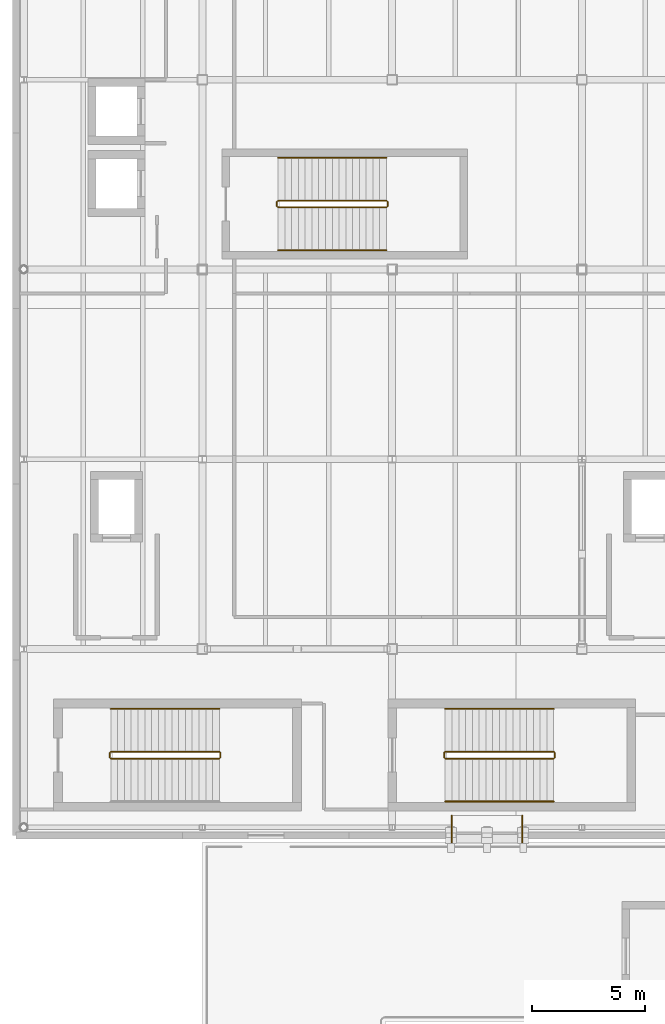
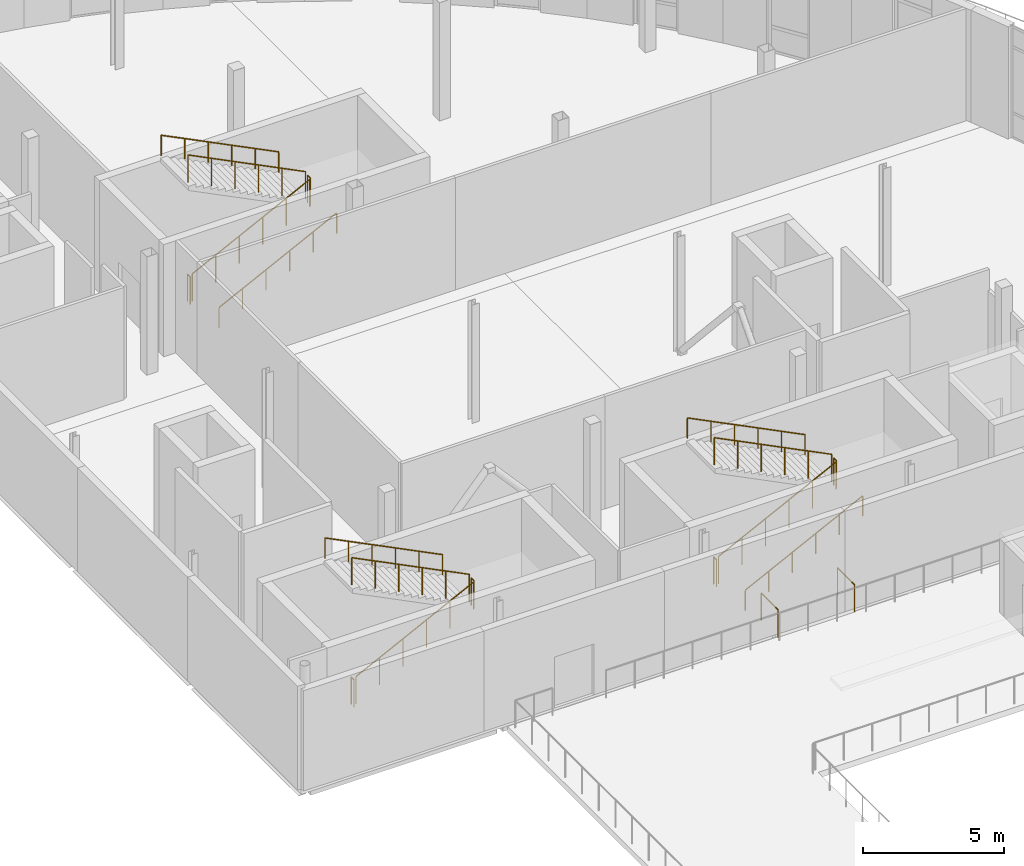
# One storey, part 55 of 57: 19 railings.
"""IFC4 building model written with IfcOpenShell, lengths in metres."""

import ifcopenshell
import ifcopenshell.guid

model = None  # the IFC model being written
_history = None  # IfcOwnerHistory: only IFC2X3 demands one
_inside = {}  # id of a spatial element -> (the spatial element, [elements in it])
_under = {}  # id of a project, library or spatial element -> (it, [spatial elements below it])
_declared = {}  # id of a project -> (the project, [libraries it declares])
_typed = {}  # id of a type object -> (the type object, [elements of that type])
_made_of = {}  # id of a material, layer set ... -> (it, [elements and type objects made of it])


def new_model(schema):
    """Start an empty IFC model of exactly this schema.

    Asked for "IFC4X3", IfcOpenShell would pick the latest addendum, in which some entities
    have other attributes; the version numbers below select the first issue.
    IFC2X3 requires an IfcOwnerHistory on every rooted entity: one is made here for all.
    """
    global model, _history
    if schema == "IFC4X3":
        model = ifcopenshell.file(schema_version=(4, 3, 0, 0))
    else:
        model = ifcopenshell.file(schema=schema)
    _inside.clear()
    _under.clear()
    _declared.clear()
    _typed.clear()
    _made_of.clear()
    _history = None
    if model.schema == "IFC2X3":
        org = make("IfcOrganization", Name="unknown")
        user = make(
            "IfcPersonAndOrganization",
            ThePerson=make("IfcPerson", FamilyName="unknown"),
            TheOrganization=org,
        )
        app = make(
            "IfcApplication",
            ApplicationDeveloper=org,
            Version="unknown",
            ApplicationFullName="unknown",
            ApplicationIdentifier="unknown",
        )
        _history = make(
            "IfcOwnerHistory",
            OwningUser=user,
            OwningApplication=app,
            ChangeAction="ADDED",
            CreationDate=0,
        )
    return model


def make(cls, **values):
    """One entity of the class cls with the attributes given. An attribute that is None is left unset."""
    return model.create_entity(
        cls, **{name: value for name, value in values.items() if value is not None}
    )


def rooted(cls, **values):
    """An entity with a GlobalId (a new one), such as an element, a storey or a relation."""
    return make(cls, GlobalId=ifcopenshell.guid.new(), OwnerHistory=_history, **values)


def si_unit(unit_type, name, prefix=None):
    """IfcSIUnit, for example si_unit("LENGTHUNIT", "METRE", prefix="MILLI")."""
    return make("IfcSIUnit", UnitType=unit_type, Prefix=prefix, Name=name)


def assignment(units):
    """IfcUnitAssignment: the units of a project."""
    return None if units is None else make("IfcUnitAssignment", Units=units)


def point(xyz):
    """IfcCartesianPoint."""
    return None if xyz is None else make("IfcCartesianPoint", Coordinates=xyz)


def direction(xyz):
    """IfcDirection."""
    return None if xyz is None else make("IfcDirection", DirectionRatios=xyz)


def frame(location, z_axis=None, x_axis=None):
    """IfcAxis2Placement3D, a coordinate frame: its origin and axes. An axis left out is left unset."""
    return make(
        "IfcAxis2Placement3D",
        Location=point(location),
        Axis=direction(z_axis),
        RefDirection=direction(x_axis),
    )


def frame_2d(location, x_axis=None):
    """IfcAxis2Placement2D, a coordinate frame in the plane: its origin and x axis."""
    return make(
        "IfcAxis2Placement2D", Location=point(location), RefDirection=direction(x_axis)
    )


def origin():
    """The frame at (0, 0, 0) with its axes left unset."""
    return frame((0.0, 0.0, 0.0))


def origin_2d():
    """The frame at (0, 0) in the plane with its x axis left unset."""
    return frame_2d((0.0, 0.0))


def place(relative_to, where):
    """IfcLocalPlacement: puts the frame where relative to a parent placement (None: the world)."""
    return make(
        "IfcLocalPlacement", PlacementRelTo=relative_to, RelativePlacement=where
    )


def context(
    kind, dimensions, precision=None, world=None, true_north=None, identifier=None
):
    """IfcGeometricRepresentationContext, for example the 3D "Model" context."""
    return make(
        "IfcGeometricRepresentationContext",
        ContextIdentifier=identifier,
        ContextType=kind,
        CoordinateSpaceDimension=dimensions,
        Precision=precision,
        WorldCoordinateSystem=world,
        TrueNorth=true_north,
    )


def subcontext(parent, identifier, kind, view, scale=None):
    """IfcGeometricRepresentationSubContext, for example "Body" below "Model"."""
    return make(
        "IfcGeometricRepresentationSubContext",
        ContextIdentifier=identifier,
        ContextType=kind,
        ParentContext=parent,
        TargetScale=scale,
        TargetView=view,
    )


def project(units=None, contexts=None):
    """IfcProject with its units and contexts."""
    return rooted(
        "IfcProject",
        Name="project",
        RepresentationContexts=contexts,
        UnitsInContext=assignment(units),
    )


def spatial(cls, under=None, at=None, **own):
    """A site, building, storey or space (cls), placed at a placement, below another one or the project."""
    s = rooted(cls, ObjectPlacement=at, **own)
    if under is not None:
        _under.setdefault(under.id(), (under, []))[1].append(s)
    return s


def profile(cls, at=None, kind="AREA", **sizes):
    """A parametric profile (cls). Its sizes go by their IFC names, for example OverallWidth=200.0."""
    return make(cls, ProfileType=kind, Position=at, **sizes)


def circle(**sizes):
    """IfcCircleProfileDef."""
    return profile("IfcCircleProfileDef", **sizes)


def extrude(swept, where, along, depth):
    """IfcExtrudedAreaSolid: the profile swept, set in the frame where, extruded along a direction by depth."""
    return make(
        "IfcExtrudedAreaSolid",
        SweptArea=swept,
        Position=where,
        ExtrudedDirection=direction(along),
        Depth=depth,
    )


def shape(context_of_items, identifier, shape_type, items):
    """IfcShapeRepresentation: the items that make up one representation, for example the "Body"."""
    return make(
        "IfcShapeRepresentation",
        ContextOfItems=context_of_items,
        RepresentationIdentifier=identifier,
        RepresentationType=shape_type,
        Items=items,
    )


def material(Name=None, Category=None):
    """IfcMaterial."""
    return make("IfcMaterial", Name=Name, Category=Category)


def made_of(thing, what):
    """Note that an element or type object is made of a material, layer set ...; save() writes the relation."""
    if what is not None:
        _made_of.setdefault(what.id(), (what, []))[1].append(thing)
    return thing


def type_object(cls, material=None, **own):
    """A type object (cls), such as IfcWallType, which elements share."""
    return made_of(rooted(cls, **own), material)


def element(
    cls,
    number,
    at=None,
    inside=None,
    cuts=None,
    type_object=None,
    material=None,
    context=None,
    identifier="Body",
    shape_type=None,
    held_by="IfcProductDefinitionShape",
    body=None,
    shapes=None,
    **own,
):
    """One element of the class cls, such as IfcWall. Its Tag is "e" and its number.

    at: its placement. inside: the storey or other place that contains it. cuts: it is an
    opening in that element (IfcRelVoidsElement). A single representation is given by context,
    identifier, shape_type and body (its items); several are given by shapes. held_by: the class
    of the entity that holds the representations. save() writes the other relations.
    """
    e = rooted(cls, Tag="e%d" % number, ObjectPlacement=at, **own)
    if body is not None:
        shapes = [shape(context, identifier, shape_type, body)]
    if shapes is not None:
        e.Representation = make(held_by, Representations=shapes)
    if inside is not None:
        _inside.setdefault(inside.id(), (inside, []))[1].append(e)
    if cuts is not None:
        rooted(
            "IfcRelVoidsElement", RelatingBuildingElement=cuts, RelatedOpeningElement=e
        )
    if type_object is not None:
        _typed.setdefault(type_object.id(), (type_object, []))[1].append(e)
    return made_of(e, material)


def aggregate(whole, parts):
    """IfcRelAggregates: a whole, such as a stair, and the parts it consists of."""
    return rooted("IfcRelAggregates", RelatingObject=whole, RelatedObjects=parts)


def save(model, path):
    """Write the relations noted so far, then the file.

    IfcRelAggregates (storeys below a building ...), IfcRelContainedInSpatialStructure (elements
    in a storey), IfcRelDefinesByType, IfcRelAssociatesMaterial and IfcRelDeclares: one each for
    every whole, place, type object, material and project.
    """
    for whole, parts in _under.values():
        aggregate(whole, parts)
    for where, things in _inside.values():
        rooted(
            "IfcRelContainedInSpatialStructure",
            RelatedElements=things,
            RelatingStructure=where,
        )
    for kind, things in _typed.values():
        rooted("IfcRelDefinesByType", RelatedObjects=things, RelatingType=kind)
    for what, things in _made_of.values():
        rooted("IfcRelAssociatesMaterial", RelatedObjects=things, RelatingMaterial=what)
    for by, libraries in _declared.values():
        rooted("IfcRelDeclares", RelatingContext=by, RelatedDefinitions=libraries)
    model.write(path)


model = new_model("IFC4")

# Units and contexts
model_context = context("Model", 3, precision=1e-05, world=origin(), true_north=direction((0.0, 1.0)))
body_context = subcontext(model_context, "Body", "Model", "MODEL_VIEW")
ifc_project = project(units=[si_unit("LENGTHUNIT", "METRE"), si_unit("AREAUNIT", "SQUARE_METRE"), si_unit("VOLUMEUNIT", "CUBIC_METRE"), si_unit("PLANEANGLEUNIT", "RADIAN"), si_unit("MASSUNIT", "GRAM", prefix="KILO"), si_unit("THERMODYNAMICTEMPERATUREUNIT", "KELVIN")], contexts=[model_context])

# Site, building, storey
site_placement = place(None, origin())
site = spatial("IfcSite", under=ifc_project, at=site_placement, CompositionType="ELEMENT")
building_placement = place(site_placement, origin())
building = spatial("IfcBuilding", under=site, at=building_placement, Name="Lustrewick Department Store", CompositionType="ELEMENT")
storey_placement = place(building_placement, frame((0.0, 0.0, 26.699951171875)))
storey = spatial("IfcBuildingStorey", under=building, at=storey_placement, Name="L06", CompositionType="ELEMENT", Elevation=26.699951171875)

# Railings
ifc_material_1 = material(Name="Laminated safety glass and bronze atrium balustrade", Category="glass")
railing_type_1 = type_object("IfcRailingType", Name="RL-BAL", PredefinedType="BALUSTRADE", material=ifc_material_1)
for number, where, name in (
    (1, (128.639892578125, 50.239990234375, 0.0), "L06 Skybridge SB34 West Guard 0056"),
    (2, (131.760009765625, 50.239990234375, 0.0), "L06 Skybridge SB34 East Guard 0057"),
):
    element("IfcRailing", number, at=place(storey_placement, frame(where)), inside=storey, type_object=railing_type_1, Name=name, PredefinedType="BALUSTRADE", context=body_context, shape_type="SweptSolid", body=[
        extrude(circle(Radius=0.02392578125, at=origin_2d()), frame((0.0, 0.0, 1.17578125), z_axis=(0.0, 1.0, 0.0), x_axis=(-1.0, 0.0, 0.0)), (0.0, 0.0, 1.0), 1.18994140625),
        extrude(circle(Radius=0.02099609375, at=origin_2d()), origin(), (0.0, 0.0, 1.0), 1.15185546875),
        extrude(circle(Radius=0.02099609375, at=origin_2d()), frame((0.0, 1.18994140625, 0.0)), (0.0, 0.0, 1.0), 1.15185546875),
    ])
ifc_material_2 = material(Name="Painted tubular steel stairwell guardrail", Category="steel")
railing_type_2 = type_object("IfcRailingType", Name="RL-STG", PredefinedType="GUARDRAIL", material=ifc_material_2)
railing_1_placement = place(storey_placement, frame((113.550048828125, 53.949951171875, 0.150146484375)))
element("IfcRailing", 3, at=railing_1_placement, inside=storey, type_object=railing_type_2, Name="L06 ST09 Stair Guard 1", PredefinedType="GUARDRAIL", context=body_context, shape_type="SweptSolid", body=[
    extrude(circle(Radius=0.02392578125, at=origin_2d()), frame((0.0, 0.0, 1.17578125), z_axis=(0.894436289399, 0.0, 0.44719539824), x_axis=(0.0, 1.0, 0.0)), (0.0, 0.0, 1.0), 5.366455078125),
    extrude(circle(Radius=0.02099609375, at=origin_2d()), origin(), (0.0, 0.0, 1.0), 1.15185546875),
    extrude(circle(Radius=0.02099609375, at=origin_2d()), frame((0.9599609375, 0.0, 0.47998046875)), (0.0, 0.0, 1.0), 1.15185546875),
    extrude(circle(Radius=0.02099609375, at=origin_2d()), frame((1.919921875, 0.0, 0.9599609375)), (0.0, 0.0, 1.0), 1.15185546875),
    extrude(circle(Radius=0.02099609375, at=origin_2d()), frame((2.880126953125, 0.0, 1.43994140625)), (0.0, 0.0, 1.0), 1.15185546875),
    extrude(circle(Radius=0.02099609375, at=origin_2d()), frame((3.840087890625, 0.0, 1.919921875)), (0.0, 0.0, 1.0), 1.15185546875),
    extrude(circle(Radius=0.02099609375, at=origin_2d()), frame((4.800048828125, 0.0, 2.39990234375)), (0.0, 0.0, 1.0), 1.15185546875),
])
railing_2_placement = place(storey_placement, frame((118.39990234375, 54.0, 2.550048828125)))
element("IfcRailing", 4, at=railing_2_placement, inside=storey, type_object=railing_type_2, Name="L06 ST09 Stair Guard 2", PredefinedType="GUARDRAIL", context=body_context, shape_type="SweptSolid", body=[
    extrude(circle(Radius=0.02392578125, at=origin_2d()), frame((0.0, 0.0, 1.17578125), z_axis=(0.0, 1.0, 0.0), x_axis=(-1.0, 0.0, 0.0)), (0.0, 0.0, 1.0), 0.199951171875),
    extrude(circle(Radius=0.02099609375, at=origin_2d()), origin(), (0.0, 0.0, 1.0), 1.15185546875),
    extrude(circle(Radius=0.02099609375, at=origin_2d()), frame((0.0, 0.199951171875, 0.0)), (0.0, 0.0, 1.0), 1.15185546875),
])
railing_3_placement = place(storey_placement, frame((118.35009765625, 54.25, 2.699951171875)))
element("IfcRailing", 5, at=railing_3_placement, inside=storey, type_object=railing_type_2, Name="L06 ST09 Stair Guard 3", PredefinedType="GUARDRAIL", context=body_context, shape_type="SweptSolid", body=[
    extrude(circle(Radius=0.02392578125, at=origin_2d()), frame((0.0, 0.0, 1.17578125), z_axis=(-0.894418092416, 0.0, 0.447231792205), x_axis=(0.0, -1.0, 0.0)), (0.0, 0.0, 1.0), 5.36669921875),
    extrude(circle(Radius=0.02099609375, at=origin_2d()), origin(), (0.0, 0.0, 1.0), 1.15185546875),
    extrude(circle(Radius=0.02099609375, at=origin_2d()), frame((-0.9599609375, 0.0, 0.47998046875)), (0.0, 0.0, 1.0), 1.15185546875),
    extrude(circle(Radius=0.02099609375, at=origin_2d()), frame((-1.919921875, 0.0, 0.9599609375)), (0.0, 0.0, 1.0), 1.15185546875),
    extrude(circle(Radius=0.02099609375, at=origin_2d()), frame((-2.880126953125, 0.0, 1.440185546875)), (0.0, 0.0, 1.0), 1.15185546875),
    extrude(circle(Radius=0.02099609375, at=origin_2d()), frame((-3.840087890625, 0.0, 1.920166015625)), (0.0, 0.0, 1.0), 1.15185546875),
    extrude(circle(Radius=0.02099609375, at=origin_2d()), frame((-4.800048828125, 0.0, 2.400146484375)), (0.0, 0.0, 1.0), 1.15185546875),
])
railing_4_placement = place(storey_placement, frame((113.5, 54.0, 0.0)))
element("IfcRailing", 6, at=railing_4_placement, inside=storey, type_object=railing_type_2, Name="L06 ST09 Stair Guard 4", PredefinedType="GUARDRAIL", context=body_context, shape_type="SweptSolid", body=[
    extrude(circle(Radius=0.02392578125, at=origin_2d()), frame((0.0, 0.0, 1.17578125), z_axis=(0.0, 1.0, 0.0), x_axis=(-1.0, 0.0, 0.0)), (0.0, 0.0, 1.0), 0.199951171875),
    extrude(circle(Radius=0.02099609375, at=origin_2d()), origin(), (0.0, 0.0, 1.0), 1.15185546875),
    extrude(circle(Radius=0.02099609375, at=origin_2d()), frame((0.0, 0.199951171875, 0.0)), (0.0, 0.0, 1.0), 1.15185546875),
])
railing_5_placement = place(storey_placement, frame((120.949951171875, 78.35009765625, 0.150146484375)))
element("IfcRailing", 7, at=railing_5_placement, inside=storey, type_object=railing_type_2, Name="L06 ST10 Stair Guard 1", PredefinedType="GUARDRAIL", context=body_context, shape_type="SweptSolid", body=[
    extrude(circle(Radius=0.02392578125, at=origin_2d()), frame((0.0, 0.0, 1.17578125), z_axis=(0.894436289399, 0.0, 0.44719539824), x_axis=(0.0, 1.0, 0.0)), (0.0, 0.0, 1.0), 5.366455078125),
    extrude(circle(Radius=0.02099609375, at=origin_2d()), origin(), (0.0, 0.0, 1.0), 1.15185546875),
    extrude(circle(Radius=0.02099609375, at=origin_2d()), frame((0.9599609375, 0.0, 0.47998046875)), (0.0, 0.0, 1.0), 1.15185546875),
    extrude(circle(Radius=0.02099609375, at=origin_2d()), frame((1.919921875, 0.0, 0.9599609375)), (0.0, 0.0, 1.0), 1.15185546875),
    extrude(circle(Radius=0.02099609375, at=origin_2d()), frame((2.880126953125, 0.0, 1.43994140625)), (0.0, 0.0, 1.0), 1.15185546875),
    extrude(circle(Radius=0.02099609375, at=origin_2d()), frame((3.840087890625, 0.0, 1.919921875)), (0.0, 0.0, 1.0), 1.15185546875),
    extrude(circle(Radius=0.02099609375, at=origin_2d()), frame((4.800048828125, 0.0, 2.39990234375)), (0.0, 0.0, 1.0), 1.15185546875),
])
railing_6_placement = place(storey_placement, frame((125.800048828125, 78.39990234375, 2.550048828125)))
element("IfcRailing", 8, at=railing_6_placement, inside=storey, type_object=railing_type_2, Name="L06 ST10 Stair Guard 2", PredefinedType="GUARDRAIL", context=body_context, shape_type="SweptSolid", body=[
    extrude(circle(Radius=0.02392578125, at=origin_2d()), frame((0.0, 0.0, 1.17578125), z_axis=(0.0, 1.0, 0.0), x_axis=(-1.0, 0.0, 0.0)), (0.0, 0.0, 1.0), 0.2001953125),
    extrude(circle(Radius=0.02099609375, at=origin_2d()), origin(), (0.0, 0.0, 1.0), 1.15185546875),
    extrude(circle(Radius=0.02099609375, at=origin_2d()), frame((0.0, 0.2001953125, 0.0)), (0.0, 0.0, 1.0), 1.15185546875),
])
railing_7_placement = place(storey_placement, frame((125.75, 78.64990234375, 2.699951171875)))
element("IfcRailing", 9, at=railing_7_placement, inside=storey, type_object=railing_type_2, Name="L06 ST10 Stair Guard 3", PredefinedType="GUARDRAIL", context=body_context, shape_type="SweptSolid", body=[
    extrude(circle(Radius=0.02392578125, at=origin_2d()), frame((0.0, 0.0, 1.17578125), z_axis=(-0.894418092416, 0.0, 0.447231792205), x_axis=(0.0, -1.0, 0.0)), (0.0, 0.0, 1.0), 5.36669921875),
    extrude(circle(Radius=0.02099609375, at=origin_2d()), origin(), (0.0, 0.0, 1.0), 1.15185546875),
    extrude(circle(Radius=0.02099609375, at=origin_2d()), frame((-0.9599609375, 0.0, 0.47998046875)), (0.0, 0.0, 1.0), 1.15185546875),
    extrude(circle(Radius=0.02099609375, at=origin_2d()), frame((-1.919921875, 0.0, 0.9599609375)), (0.0, 0.0, 1.0), 1.15185546875),
    extrude(circle(Radius=0.02099609375, at=origin_2d()), frame((-2.880126953125, 0.0, 1.440185546875)), (0.0, 0.0, 1.0), 1.15185546875),
    extrude(circle(Radius=0.02099609375, at=origin_2d()), frame((-3.840087890625, 0.0, 1.920166015625)), (0.0, 0.0, 1.0), 1.15185546875),
    extrude(circle(Radius=0.02099609375, at=origin_2d()), frame((-4.800048828125, 0.0, 2.400146484375)), (0.0, 0.0, 1.0), 1.15185546875),
])
railing_8_placement = place(storey_placement, frame((120.89990234375, 78.39990234375, 0.0)))
element("IfcRailing", 10, at=railing_8_placement, inside=storey, type_object=railing_type_2, Name="L06 ST10 Stair Guard 4", PredefinedType="GUARDRAIL", context=body_context, shape_type="SweptSolid", body=[
    extrude(circle(Radius=0.02392578125, at=origin_2d()), frame((0.0, 0.0, 1.17578125), z_axis=(0.0, 1.0, 0.0), x_axis=(-1.0, 0.0, 0.0)), (0.0, 0.0, 1.0), 0.2001953125),
    extrude(circle(Radius=0.02099609375, at=origin_2d()), origin(), (0.0, 0.0, 1.0), 1.15185546875),
    extrude(circle(Radius=0.02099609375, at=origin_2d()), frame((0.0, 0.2001953125, 0.0)), (0.0, 0.0, 1.0), 1.15185546875),
])
railing_9_placement = place(storey_placement, frame((128.35009765625, 53.949951171875, 0.150146484375)))
element("IfcRailing", 11, at=railing_9_placement, inside=storey, type_object=railing_type_2, Name="L06 ST11 Stair Guard 1", PredefinedType="GUARDRAIL", context=body_context, shape_type="SweptSolid", body=[
    extrude(circle(Radius=0.02392578125, at=origin_2d()), frame((0.0, 0.0, 1.17578125), z_axis=(0.894427191, 0.0, 0.4472135955), x_axis=(0.0, 1.0, 0.0)), (0.0, 0.0, 1.0), 5.366455078125),
    extrude(circle(Radius=0.02099609375, at=origin_2d()), origin(), (0.0, 0.0, 1.0), 1.15185546875),
    extrude(circle(Radius=0.02099609375, at=origin_2d()), frame((0.9599609375, 0.0, 0.47998046875)), (0.0, 0.0, 1.0), 1.15185546875),
    extrude(circle(Radius=0.02099609375, at=origin_2d()), frame((1.919921875, 0.0, 0.9599609375)), (0.0, 0.0, 1.0), 1.15185546875),
    extrude(circle(Radius=0.02099609375, at=origin_2d()), frame((2.8798828125, 0.0, 1.43994140625)), (0.0, 0.0, 1.0), 1.15185546875),
    extrude(circle(Radius=0.02099609375, at=origin_2d()), frame((3.83984375, 0.0, 1.919921875)), (0.0, 0.0, 1.0), 1.15185546875),
    extrude(circle(Radius=0.02099609375, at=origin_2d()), frame((4.7998046875, 0.0, 2.39990234375)), (0.0, 0.0, 1.0), 1.15185546875),
])
railing_10_placement = place(storey_placement, frame((133.199951171875, 54.0, 2.550048828125)))
element("IfcRailing", 12, at=railing_10_placement, inside=storey, type_object=railing_type_2, Name="L06 ST11 Stair Guard 2", PredefinedType="GUARDRAIL", context=body_context, shape_type="SweptSolid", body=[
    extrude(circle(Radius=0.02392578125, at=origin_2d()), frame((0.0, 0.0, 1.17578125), z_axis=(0.0, 1.0, 0.0), x_axis=(-1.0, 0.0, 0.0)), (0.0, 0.0, 1.0), 0.199951171875),
    extrude(circle(Radius=0.02099609375, at=origin_2d()), origin(), (0.0, 0.0, 1.0), 1.15185546875),
    extrude(circle(Radius=0.02099609375, at=origin_2d()), frame((0.0, 0.199951171875, 0.0)), (0.0, 0.0, 1.0), 1.15185546875),
])
railing_11_placement = place(storey_placement, frame((133.14990234375, 54.25, 2.699951171875)))
element("IfcRailing", 13, at=railing_11_placement, inside=storey, type_object=railing_type_2, Name="L06 ST11 Stair Guard 3", PredefinedType="GUARDRAIL", context=body_context, shape_type="SweptSolid", body=[
    extrude(circle(Radius=0.02392578125, at=origin_2d()), frame((0.0, 0.0, 1.17578125), z_axis=(-0.894408992721, 0.0, 0.447249990206), x_axis=(0.0, -1.0, 0.0)), (0.0, 0.0, 1.0), 5.366455078125),
    extrude(circle(Radius=0.02099609375, at=origin_2d()), origin(), (0.0, 0.0, 1.0), 1.15185546875),
    extrude(circle(Radius=0.02099609375, at=origin_2d()), frame((-0.9599609375, 0.0, 0.47998046875)), (0.0, 0.0, 1.0), 1.15185546875),
    extrude(circle(Radius=0.02099609375, at=origin_2d()), frame((-1.919921875, 0.0, 0.9599609375)), (0.0, 0.0, 1.0), 1.15185546875),
    extrude(circle(Radius=0.02099609375, at=origin_2d()), frame((-2.8798828125, 0.0, 1.440185546875)), (0.0, 0.0, 1.0), 1.15185546875),
    extrude(circle(Radius=0.02099609375, at=origin_2d()), frame((-3.83984375, 0.0, 1.920166015625)), (0.0, 0.0, 1.0), 1.15185546875),
    extrude(circle(Radius=0.02099609375, at=origin_2d()), frame((-4.7998046875, 0.0, 2.400146484375)), (0.0, 0.0, 1.0), 1.15185546875),
])
railing_12_placement = place(storey_placement, frame((128.300048828125, 54.0, 0.0)))
element("IfcRailing", 14, at=railing_12_placement, inside=storey, type_object=railing_type_2, Name="L06 ST11 Stair Guard 4", PredefinedType="GUARDRAIL", context=body_context, shape_type="SweptSolid", body=[
    extrude(circle(Radius=0.02392578125, at=origin_2d()), frame((0.0, 0.0, 1.17578125), z_axis=(0.0, 1.0, 0.0), x_axis=(-1.0, 0.0, 0.0)), (0.0, 0.0, 1.0), 0.199951171875),
    extrude(circle(Radius=0.02099609375, at=origin_2d()), origin(), (0.0, 0.0, 1.0), 1.15185546875),
    extrude(circle(Radius=0.02099609375, at=origin_2d()), frame((0.0, 0.199951171875, 0.0)), (0.0, 0.0, 1.0), 1.15185546875),
])
ifc_material_3 = material(Name="Brushed stainless steel wall handrail", Category="steel")
railing_type_3 = type_object("IfcRailingType", Name="RL-STH", PredefinedType="HANDRAIL", material=ifc_material_3)
railing_13_placement = place(storey_placement, frame((118.35009765625, 56.14990234375, 2.699951171875)))
element("IfcRailing", 15, at=railing_13_placement, inside=storey, type_object=railing_type_3, Name="L06 ST09 Stair Handrail 2", PredefinedType="HANDRAIL", context=body_context, shape_type="SweptSolid", body=[
    extrude(circle(Radius=0.02392578125, at=origin_2d()), frame((0.0, 0.0, 0.8759765625), z_axis=(-0.894418092416, 0.0, 0.447231792205), x_axis=(0.0, -1.0, 0.0)), (0.0, 0.0, 1.0), 5.36669921875),
    extrude(circle(Radius=0.02099609375, at=origin_2d()), origin(), (0.0, 0.0, 1.0), 0.851806640625),
    extrude(circle(Radius=0.02099609375, at=origin_2d()), frame((-0.9599609375, 0.0, 0.47998046875)), (0.0, 0.0, 1.0), 0.851806640625),
    extrude(circle(Radius=0.02099609375, at=origin_2d()), frame((-1.919921875, 0.0, 0.9599609375)), (0.0, 0.0, 1.0), 0.851806640625),
    extrude(circle(Radius=0.02099609375, at=origin_2d()), frame((-2.880126953125, 0.0, 1.440185546875)), (0.0, 0.0, 1.0), 0.851806640625),
    extrude(circle(Radius=0.02099609375, at=origin_2d()), frame((-3.840087890625, 0.0, 1.920166015625)), (0.0, 0.0, 1.0), 0.851806640625),
    extrude(circle(Radius=0.02099609375, at=origin_2d()), frame((-4.800048828125, 0.0, 2.400146484375)), (0.0, 0.0, 1.0), 0.851806640625),
])
railing_14_placement = place(storey_placement, frame((120.949951171875, 76.449951171875, 0.150146484375)))
element("IfcRailing", 16, at=railing_14_placement, inside=storey, type_object=railing_type_3, Name="L06 ST10 Stair Handrail 1", PredefinedType="HANDRAIL", context=body_context, shape_type="SweptSolid", body=[
    extrude(circle(Radius=0.02392578125, at=origin_2d()), frame((0.0, 0.0, 0.8759765625), z_axis=(0.894436289399, 0.0, 0.44719539824), x_axis=(0.0, 1.0, 0.0)), (0.0, 0.0, 1.0), 5.366455078125),
    extrude(circle(Radius=0.02099609375, at=origin_2d()), origin(), (0.0, 0.0, 1.0), 0.851806640625),
    extrude(circle(Radius=0.02099609375, at=origin_2d()), frame((0.9599609375, 0.0, 0.47998046875)), (0.0, 0.0, 1.0), 0.851806640625),
    extrude(circle(Radius=0.02099609375, at=origin_2d()), frame((1.919921875, 0.0, 0.9599609375)), (0.0, 0.0, 1.0), 0.851806640625),
    extrude(circle(Radius=0.02099609375, at=origin_2d()), frame((2.880126953125, 0.0, 1.43994140625)), (0.0, 0.0, 1.0), 0.851806640625),
    extrude(circle(Radius=0.02099609375, at=origin_2d()), frame((3.840087890625, 0.0, 1.919921875)), (0.0, 0.0, 1.0), 0.851806640625),
    extrude(circle(Radius=0.02099609375, at=origin_2d()), frame((4.800048828125, 0.0, 2.39990234375)), (0.0, 0.0, 1.0), 0.851806640625),
])
railing_15_placement = place(storey_placement, frame((125.75, 80.550048828125, 2.699951171875)))
element("IfcRailing", 17, at=railing_15_placement, inside=storey, type_object=railing_type_3, Name="L06 ST10 Stair Handrail 2", PredefinedType="HANDRAIL", context=body_context, shape_type="SweptSolid", body=[
    extrude(circle(Radius=0.02392578125, at=origin_2d()), frame((0.0, 0.0, 0.8759765625), z_axis=(-0.894418092416, 0.0, 0.447231792205), x_axis=(0.0, -1.0, 0.0)), (0.0, 0.0, 1.0), 5.36669921875),
    extrude(circle(Radius=0.02099609375, at=origin_2d()), origin(), (0.0, 0.0, 1.0), 0.851806640625),
    extrude(circle(Radius=0.02099609375, at=origin_2d()), frame((-0.9599609375, 0.0, 0.47998046875)), (0.0, 0.0, 1.0), 0.851806640625),
    extrude(circle(Radius=0.02099609375, at=origin_2d()), frame((-1.919921875, 0.0, 0.9599609375)), (0.0, 0.0, 1.0), 0.851806640625),
    extrude(circle(Radius=0.02099609375, at=origin_2d()), frame((-2.880126953125, 0.0, 1.440185546875)), (0.0, 0.0, 1.0), 0.851806640625),
    extrude(circle(Radius=0.02099609375, at=origin_2d()), frame((-3.840087890625, 0.0, 1.920166015625)), (0.0, 0.0, 1.0), 0.851806640625),
    extrude(circle(Radius=0.02099609375, at=origin_2d()), frame((-4.800048828125, 0.0, 2.400146484375)), (0.0, 0.0, 1.0), 0.851806640625),
])
railing_16_placement = place(storey_placement, frame((128.35009765625, 52.050048828125, 0.150146484375)))
element("IfcRailing", 18, at=railing_16_placement, inside=storey, type_object=railing_type_3, Name="L06 ST11 Stair Handrail 1", PredefinedType="HANDRAIL", context=body_context, shape_type="SweptSolid", body=[
    extrude(circle(Radius=0.02392578125, at=origin_2d()), frame((0.0, 0.0, 0.8759765625), z_axis=(0.894427191, 0.0, 0.4472135955), x_axis=(0.0, 1.0, 0.0)), (0.0, 0.0, 1.0), 5.366455078125),
    extrude(circle(Radius=0.02099609375, at=origin_2d()), origin(), (0.0, 0.0, 1.0), 0.851806640625),
    extrude(circle(Radius=0.02099609375, at=origin_2d()), frame((0.9599609375, 0.0, 0.47998046875)), (0.0, 0.0, 1.0), 0.851806640625),
    extrude(circle(Radius=0.02099609375, at=origin_2d()), frame((1.919921875, 0.0, 0.9599609375)), (0.0, 0.0, 1.0), 0.851806640625),
    extrude(circle(Radius=0.02099609375, at=origin_2d()), frame((2.8798828125, 0.0, 1.43994140625)), (0.0, 0.0, 1.0), 0.851806640625),
    extrude(circle(Radius=0.02099609375, at=origin_2d()), frame((3.83984375, 0.0, 1.919921875)), (0.0, 0.0, 1.0), 0.851806640625),
    extrude(circle(Radius=0.02099609375, at=origin_2d()), frame((4.7998046875, 0.0, 2.39990234375)), (0.0, 0.0, 1.0), 0.851806640625),
])
railing_17_placement = place(storey_placement, frame((133.14990234375, 56.14990234375, 2.699951171875)))
element("IfcRailing", 19, at=railing_17_placement, inside=storey, type_object=railing_type_3, Name="L06 ST11 Stair Handrail 2", PredefinedType="HANDRAIL", context=body_context, shape_type="SweptSolid", body=[
    extrude(circle(Radius=0.02392578125, at=origin_2d()), frame((0.0, 0.0, 0.8759765625), z_axis=(-0.894408992721, 0.0, 0.447249990206), x_axis=(0.0, -1.0, 0.0)), (0.0, 0.0, 1.0), 5.366455078125),
    extrude(circle(Radius=0.02099609375, at=origin_2d()), origin(), (0.0, 0.0, 1.0), 0.851806640625),
    extrude(circle(Radius=0.02099609375, at=origin_2d()), frame((-0.9599609375, 0.0, 0.47998046875)), (0.0, 0.0, 1.0), 0.851806640625),
    extrude(circle(Radius=0.02099609375, at=origin_2d()), frame((-1.919921875, 0.0, 0.9599609375)), (0.0, 0.0, 1.0), 0.851806640625),
    extrude(circle(Radius=0.02099609375, at=origin_2d()), frame((-2.8798828125, 0.0, 1.440185546875)), (0.0, 0.0, 1.0), 0.851806640625),
    extrude(circle(Radius=0.02099609375, at=origin_2d()), frame((-3.83984375, 0.0, 1.920166015625)), (0.0, 0.0, 1.0), 0.851806640625),
    extrude(circle(Radius=0.02099609375, at=origin_2d()), frame((-4.7998046875, 0.0, 2.400146484375)), (0.0, 0.0, 1.0), 0.851806640625),
])

save(model, "model.ifc")
